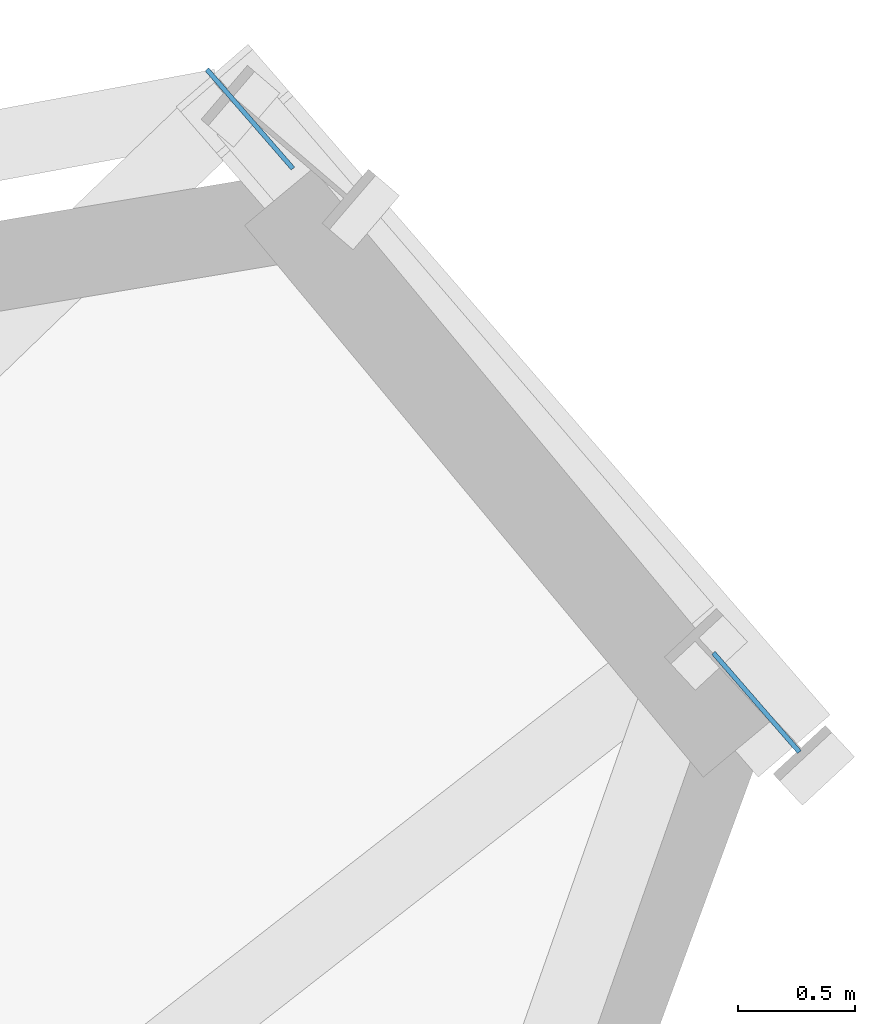
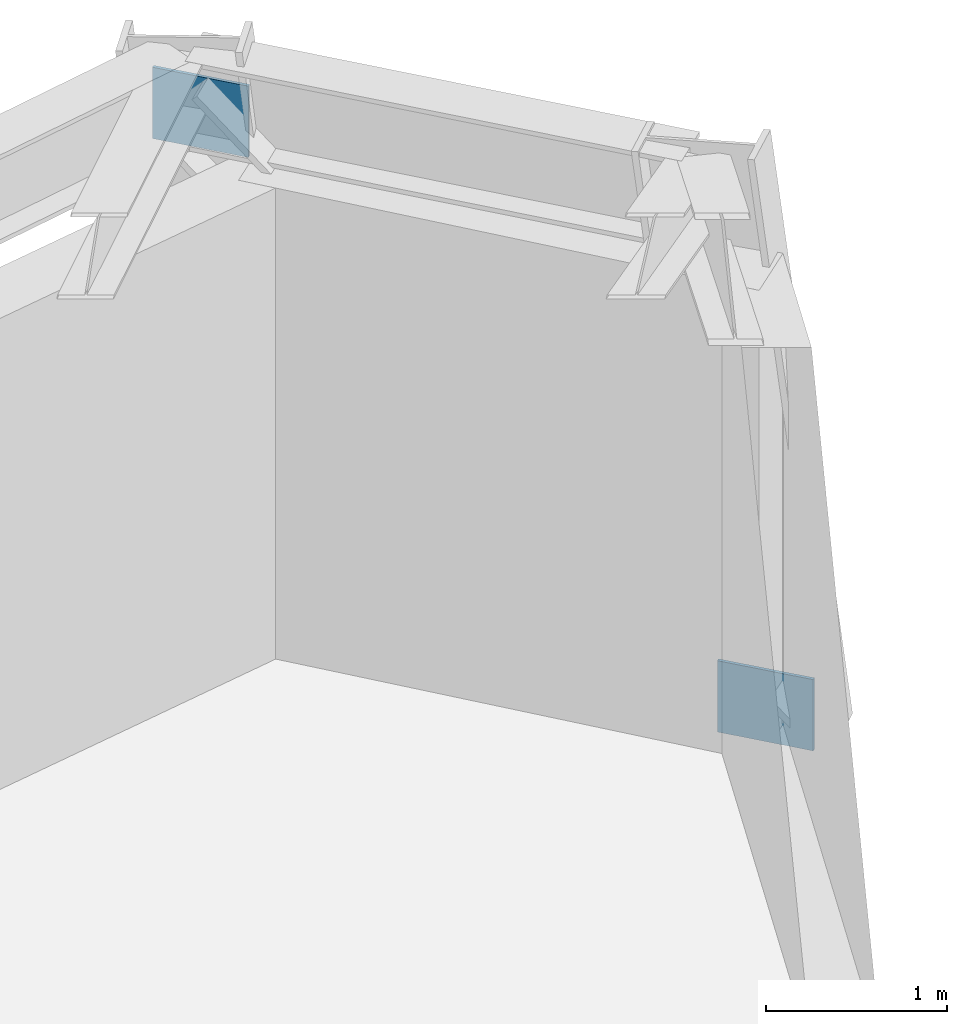
# One storey, part 8 of 14: 2 plates.
"""IFC4 building model written with IfcOpenShell, lengths in metres."""

from ifc_helpers import new_model, si_unit, direction, frame, origin, origin_2d, place, context, subcontext, project, spatial, rectangle, extrude, source, transform, mapped, material, type_object, element, save


model = new_model("IFC4")

# Units and contexts
model_context = context("Model", 3, precision=1e-05, world=origin(), true_north=direction((0.0, 1.0)))
body_context = subcontext(model_context, "Body", "Model", "MODEL_VIEW")
ifc_project = project(units=[si_unit("LENGTHUNIT", "METRE"), si_unit("AREAUNIT", "SQUARE_METRE"), si_unit("VOLUMEUNIT", "CUBIC_METRE"), si_unit("PLANEANGLEUNIT", "RADIAN"), si_unit("MASSUNIT", "GRAM", prefix="KILO")], contexts=[model_context])

# Site, building, storey
site_placement = place(None, origin())
site = spatial("IfcSite", under=ifc_project, at=site_placement, CompositionType="ELEMENT")
building_placement = place(site_placement, origin())
building = spatial("IfcBuilding", under=site, at=building_placement, Name="Olszyna Solenne Hotel", CompositionType="ELEMENT")
storey_placement = place(building_placement, frame((0.0, 0.0, 196.300048828125)))
storey = spatial("IfcBuildingStorey", under=building, at=storey_placement, Name="L52", CompositionType="ELEMENT", Elevation=196.300048828125)

# Plates
ifc_material = material(Name="Steel S355J2", Category="steel")
plate_type = type_object("IfcPlateType", Name="GP-ND2", PredefinedType="USERDEFINED", material=ifc_material)
shared_shape = source(origin(), body_context, "Body", "SweptSolid", [
    extrude(rectangle(XDim=0.56005859375, YDim=0.02001953125, at=origin_2d()), origin(), (0.0, 0.0, 1.0), 0.47998046875),
])
for number, where, z_axis, x_axis, name in (
    (1, (61.076904296875, 44.1318359375, -0.1318359375), (0.0, 0.0, 1.0), (-0.655531982473, 0.755167411873, 0.0), "Brace end connection gusset plate GP-ND2 EP-BR-L52-1-1"),
    (2, (58.916015625, 46.62109375, 3.11181640625), (0.0, 0.0, 1.0), (-0.655531982473, 0.755167411873, 0.0), "Brace end connection gusset plate GP-ND2 EP-BR-L52-1-2"),
):
    element("IfcPlate", number, at=place(storey_placement, frame(where, z_axis=z_axis, x_axis=x_axis)), inside=storey, type_object=plate_type, Name=name, ObjectType="GUSSET_PLATE", PredefinedType="USERDEFINED", context=body_context, shape_type="MappedRepresentation", body=[
        mapped(shared_shape, transform((0.0, 0.0, 0.0), x_axis=(1.0, 0.0, 0.0), y_axis=(0.0, 1.0, 0.0), z_axis=(0.0, 0.0, 1.0), scale=1.0)),
    ])

save(model, "model.ifc")
